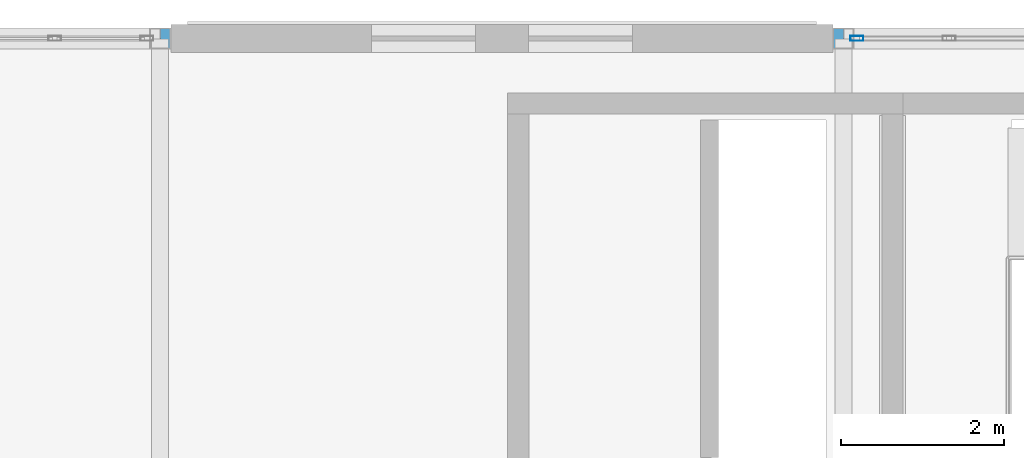
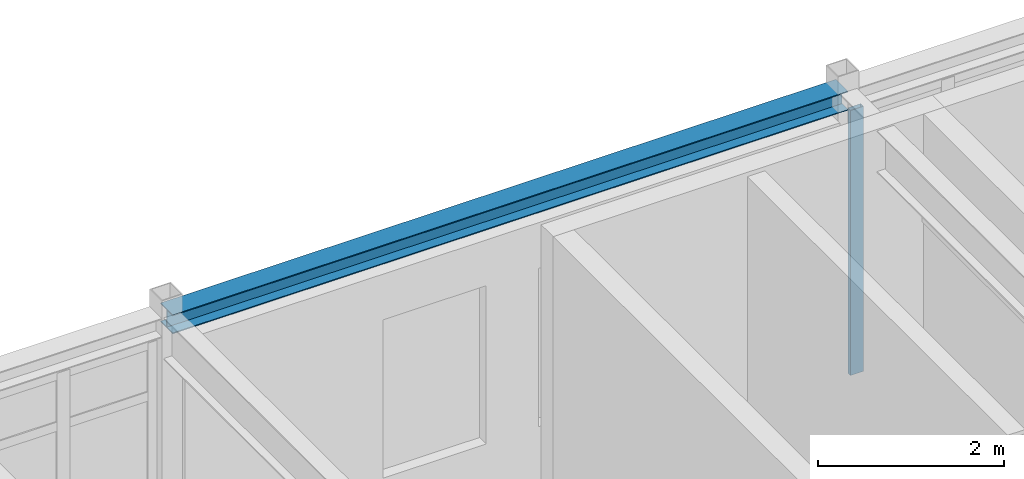
# One storey, part 103 of 189: 1 beam, 1 member, 1 element without a shape of its own.
"""IFC4 building model written with IfcOpenShell, lengths in metres."""

from ifc_helpers import new_model, si_unit, direction, frame, origin, origin_2d, place, context, subcontext, project, spatial, hollow_rectangle, i_section, extrude, material, layer, layer_set, material_profile, profile_set, type_object, element, aggregate, save


model = new_model("IFC4")

# Units and contexts
model_context = context("Model", 3, precision=1e-05, world=origin(), true_north=direction((0.0, 1.0)))
body_context = subcontext(model_context, "Body", "Model", "MODEL_VIEW")
ifc_project = project(units=[si_unit("LENGTHUNIT", "METRE"), si_unit("AREAUNIT", "SQUARE_METRE"), si_unit("VOLUMEUNIT", "CUBIC_METRE"), si_unit("PLANEANGLEUNIT", "RADIAN"), si_unit("MASSUNIT", "GRAM", prefix="KILO")], contexts=[model_context])

# Site, building, storey
site_placement = place(None, origin())
site = spatial("IfcSite", under=ifc_project, at=site_placement, CompositionType="ELEMENT")
building_placement = place(site_placement, origin())
building = spatial("IfcBuilding", under=site, at=building_placement, Name="Montecoro Central Library", CompositionType="ELEMENT")
storey_placement = place(building_placement, frame((0.0, 0.0, 9.179931640625)))
storey = spatial("IfcBuildingStorey", under=building, at=storey_placement, Name="L02", CompositionType="ELEMENT", Elevation=9.179931640625)

# Beam
ifc_material_1 = material(Name="Steel S355", Category="steel")
ifc_material_profile_1 = material_profile(ifc_material_1, i_section(OverallWidth=0.260009765625, OverallDepth=0.25, WebThickness=0.007568359375, FlangeThickness=0.012451171875, at=origin_2d()), Name="HEA 260")
ifc_profile_set_1 = profile_set([ifc_material_profile_1], Name="Steel S355")
beam_type = type_object("IfcBeamType", Name="BM-SP-HEA260", PredefinedType="SPANDREL", material=ifc_profile_set_1)
beam_placement = place(storey_placement, frame((91.60498046875, 119.0, 3.699951171875), z_axis=(1.0, 0.0, 0.0), x_axis=(0.0, 1.0, 0.0)))
element("IfcBeam", 1, at=beam_placement, inside=storey, type_object=beam_type, Name="V2-L02-BX-1213-R", PredefinedType="SPANDREL", context=body_context, shape_type="SweptSolid", body=[
    extrude(i_section(OverallWidth=0.260009765625, OverallDepth=0.25, WebThickness=0.007568359375, FlangeThickness=0.012451171875, at=origin_2d()), origin(), (0.0, 0.0, 1.0), 8.39013671875),
])

# Curtain wall, member
ifc_material_2 = material(Name="Bronze-anodised aluminium and low-E glazing", Category="aluminium")
ifc_layer = layer(ifc_material_2, 0.159912109375)
ifc_layer_set = layer_set([ifc_layer], Name="Bronze-anodised aluminium and low-E glazing")
curtain_wall_type = type_object("IfcCurtainWallType", Name="CWT-016", PredefinedType="NOTDEFINED", material=ifc_layer_set)
curtain_wall_placement = place(storey_placement, origin())
curtain_wall = element("IfcCurtainWall", 2, at=curtain_wall_placement, inside=storey, type_object=curtain_wall_type, Name="V2-L02-CW-N4", PredefinedType="NOTDEFINED")
ifc_material_3 = material(Name="Bronze-anodised aluminium", Category="aluminium")
ifc_material_profile_2 = material_profile(ifc_material_3, hollow_rectangle(XDim=0.06005859375, YDim=0.159912109375, WallThickness=0.00390625, at=origin_2d()), Name="CWM 160x60x4.0")
ifc_profile_set_2 = profile_set([ifc_material_profile_2], Name="Bronze-anodised aluminium")
member_type = type_object("IfcMemberType", Name="CWM-BRZ-60", PredefinedType="MULLION", material=ifc_profile_set_2)
member_placement = place(storey_placement, frame((100.1630859375, 119.0, 0.0), z_axis=(0.0, 0.0, 1.0), x_axis=(0.0, -1.0, 0.0)))
member = element("IfcMember", 3, at=member_placement, type_object=member_type, Name="CW-016 mullion 8", PredefinedType="MULLION", context=body_context, shape_type="SweptSolid", body=[
    extrude(hollow_rectangle(XDim=0.06005859375, YDim=0.159912109375, WallThickness=0.00390625, at=origin_2d()), origin(), (0.0, 0.0, 1.0), 3.47998046875),
])
aggregate(curtain_wall, [member])

save(model, "model.ifc")
